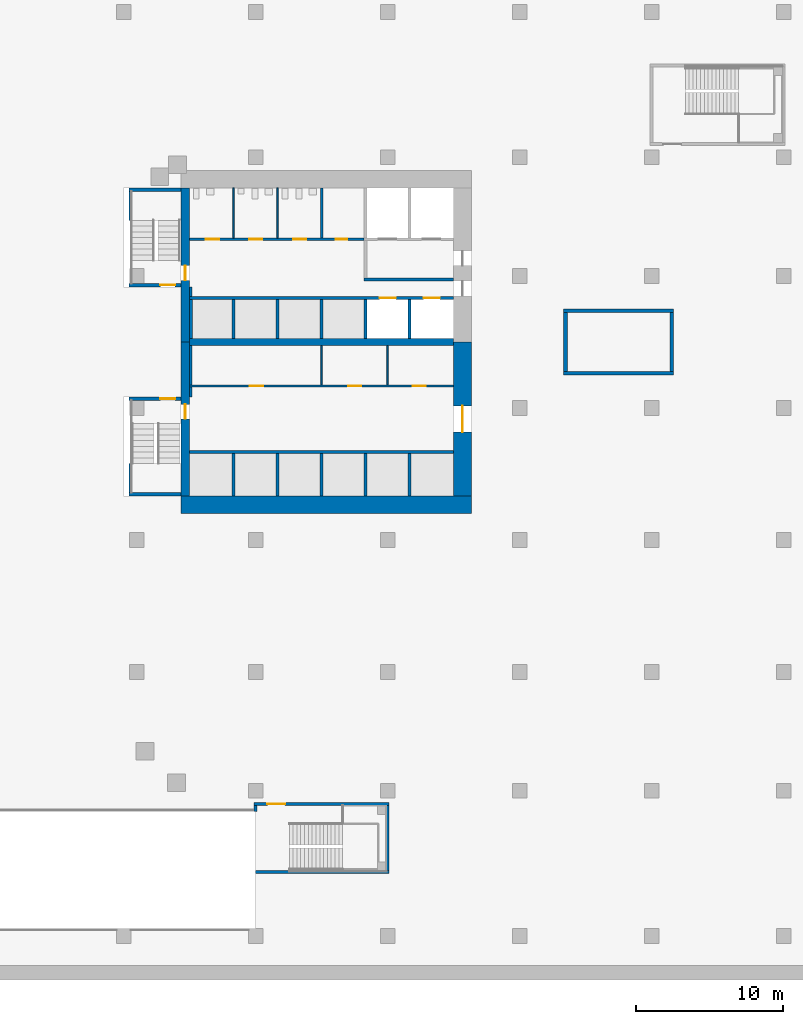
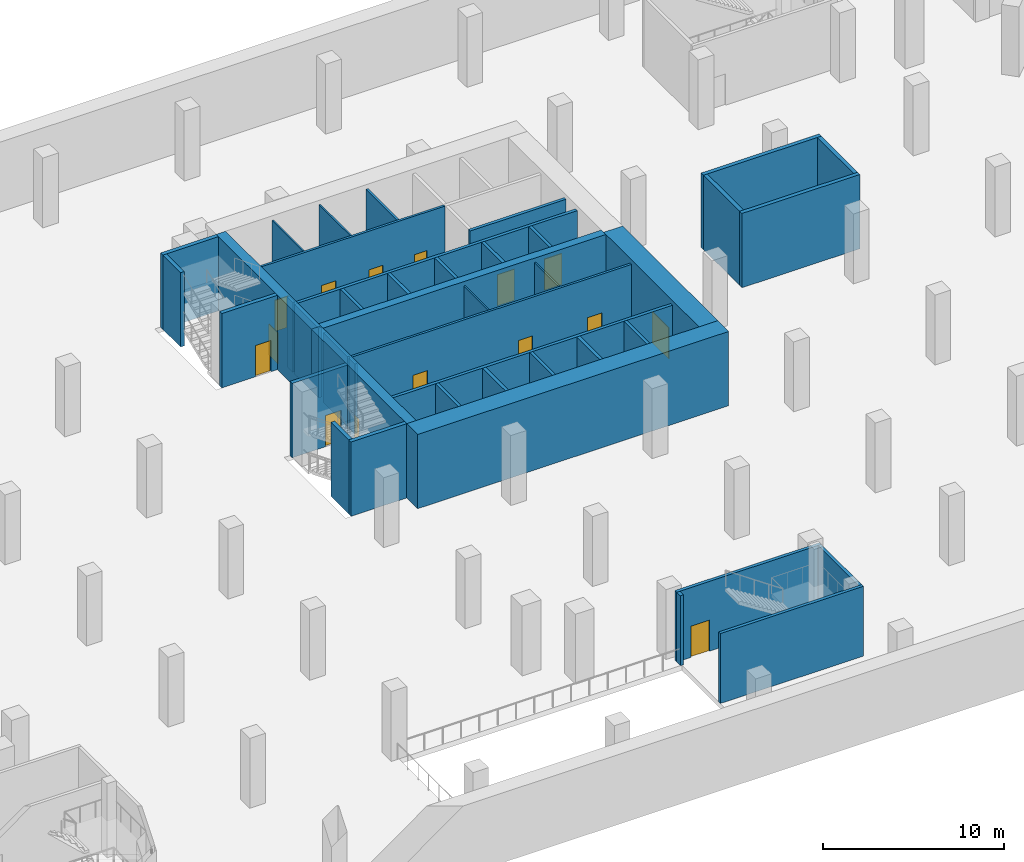
# One storey, part 7 of 19: 43 walls, 15 doors, 15 openings.
"""IFC4 building model written with IfcOpenShell, lengths in metres."""

from ifc_helpers import new_model, si_unit, direction, frame, frame_2d, origin, place, context, subcontext, project, spatial, rectangle, extrude, material, layer, layer_set, type_object, element, fill, save


model = new_model("IFC4")

# Units and contexts
model_context = context("Model", 3, precision=1e-05, world=origin(), true_north=direction((0.0, 1.0)))
body_context = subcontext(model_context, "Body", "Model", "MODEL_VIEW")
ifc_project = project(units=[si_unit("LENGTHUNIT", "METRE"), si_unit("AREAUNIT", "SQUARE_METRE"), si_unit("VOLUMEUNIT", "CUBIC_METRE"), si_unit("PLANEANGLEUNIT", "RADIAN"), si_unit("MASSUNIT", "GRAM", prefix="KILO")], contexts=[model_context])

# Site, building, storey
site_placement = place(None, origin())
site = spatial("IfcSite", under=ifc_project, at=site_placement, CompositionType="ELEMENT")
building_placement = place(site_placement, origin())
building = spatial("IfcBuilding", under=site, at=building_placement, Name="Cinnabar Reach Civic Tower", CompositionType="ELEMENT")
storey_placement = place(building_placement, frame((0.0, 0.0, -5.0)))
storey = spatial("IfcBuildingStorey", under=building, at=storey_placement, Name="B1", CompositionType="ELEMENT", Elevation=-5.0)

# Wall
ifc_material_1 = material(Name="Concrete C70", Category="concrete")
ifc_layer_1 = layer(ifc_material_1, 1.2)
ifc_layer_set_1 = layer_set([ifc_layer_1], Name="Core wall 1200 EI 180")
wall_type_1 = type_object("IfcWallType", Name="Core wall 1200 EI 180", PredefinedType="SOLIDWALL", material=ifc_layer_set_1)
wall_1_placement = place(storey_placement, frame((3.9, 20.4, 0.0), z_axis=(0.0, 0.0, 1.0), x_axis=(1.0, 0.0, 0.0)))
element("IfcWall", 1, at=wall_1_placement, inside=storey, type_object=wall_type_1, Name="Core wall T1 B1 S", PredefinedType="SOLIDWALL", context=body_context, shape_type="SweptSolid", body=[
    extrude(rectangle(XDim=19.8, YDim=1.2, at=frame_2d((9.9, 0.0))), origin(), (0.0, 0.0, 1.0), 5.0),
])

# Wall, opening, door
wall_2_placement = place(storey_placement, frame((23.1, 21.0, 0.0), z_axis=(0.0, 0.0, 1.0), x_axis=(0.0, 1.0, 0.0)))
wall_2 = element("IfcWall", 2, at=wall_2_placement, inside=storey, type_object=wall_type_1, Name="Core wall T1 B1 E", PredefinedType="SOLIDWALL", context=body_context, shape_type="SweptSolid", body=[
    extrude(rectangle(XDim=10.5, YDim=1.2, at=frame_2d((5.25, 0.0))), origin(), (0.0, 0.0, 1.0), 5.0),
])
opening_1_placement = place(wall_2_placement, frame((4.35, 0.0, 0.0)))
opening_1 = element("IfcOpeningElement", 3, at=opening_1_placement, cuts=wall_2, Name="Opening D3048", PredefinedType="OPENING", context=body_context, shape_type="SweptSolid", body=[
    extrude(rectangle(XDim=1.8, YDim=2.1, at=frame_2d((0.9, 1.05))), frame((0.0, 0.61, 0.0), z_axis=(0.0, -1.0, 0.0), x_axis=(1.0, 0.0, 0.0)), (0.0, 0.0, 1.0), 1.22),
])
ifc_material_2 = material(Name="Timber door leaf in steel frame", Category="steel")
door_type_1 = type_object("IfcDoorType", Name="Double swing door 1800 x 2100 T1", OperationType="DOUBLE_DOOR_DOUBLE_SWING", PredefinedType="DOOR", material=ifc_material_2)
door_1_placement = place(opening_1_placement, frame((1.8, 0.0, 0.0), z_axis=(0.0, 0.0, 1.0), x_axis=(-1.0, 0.0, 0.0)))
door_1 = element("IfcDoor", 4, at=door_1_placement, inside=storey, type_object=door_type_1, Name="Door D3048", OperationType="DOUBLE_DOOR_DOUBLE_SWING", OverallHeight=2.1, OverallWidth=1.8, PredefinedType="DOOR", context=body_context, shape_type="SweptSolid", body=[
    extrude(rectangle(XDim=1.8, YDim=2.1, at=frame_2d((0.9, 1.05))), frame((0.0, 0.025, 0.0), z_axis=(0.0, -1.0, 0.0), x_axis=(1.0, 0.0, 0.0)), (0.0, 0.0, 1.0), 0.05),
])
fill(opening_1, door_1)

# Wall
ifc_material_3 = material(Name="Concrete C60", Category="concrete")
ifc_layer_2 = layer(ifc_material_3, 0.5)
ifc_layer_set_2 = layer_set([ifc_layer_2], Name="Core wall 500 EI 180")
wall_type_2 = type_object("IfcWallType", Name="Core wall 500 EI 180", PredefinedType="SOLIDWALL", material=ifc_layer_set_2)
wall_3_placement = place(storey_placement, frame((4.5, 31.5, 0.0), z_axis=(0.0, 0.0, 1.0), x_axis=(1.0, 0.0, 0.0)))
element("IfcWall", 5, at=wall_3_placement, inside=storey, type_object=wall_type_2, Name="Core spine wall T1 B1", PredefinedType="SOLIDWALL", context=body_context, shape_type="SweptSolid", body=[
    extrude(rectangle(XDim=18.0, YDim=0.5, at=frame_2d((9.0, 0.0))), origin(), (0.0, 0.0, 1.0), 5.0),
])

# Wall, opening, door
ifc_layer_3 = layer(ifc_material_1, 0.6)
ifc_layer_set_3 = layer_set([ifc_layer_3], Name="Core wall 600 EI 180")
wall_type_3 = type_object("IfcWallType", Name="Core wall 600 EI 180", PredefinedType="SOLIDWALL", material=ifc_layer_set_3)
wall_4_placement = place(storey_placement, frame((4.2, 42.0, 0.0), z_axis=(0.0, 0.0, 1.0), x_axis=(0.0, -1.0, 0.0)))
wall_4 = element("IfcWall", 6, at=wall_4_placement, inside=storey, type_object=wall_type_3, Name="Core wall T1 B1 W", PredefinedType="SOLIDWALL", context=body_context, shape_type="SweptSolid", body=[
    extrude(rectangle(XDim=10.5, YDim=0.6, at=frame_2d((5.25, 0.0))), origin(), (0.0, 0.0, 1.0), 5.0),
])
opening_2_placement = place(wall_4_placement, frame((5.3, 0.0, 0.0)))
opening_2 = element("IfcOpeningElement", 7, at=opening_2_placement, cuts=wall_4, Name="Opening D3042", PredefinedType="OPENING", context=body_context, shape_type="SweptSolid", body=[
    extrude(rectangle(XDim=1.0, YDim=2.1, at=frame_2d((0.5, 1.05))), frame((0.0, 0.31, 0.0), z_axis=(0.0, -1.0, 0.0), x_axis=(1.0, 0.0, 0.0)), (0.0, 0.0, 1.0), 0.62),
])
door_type_2 = type_object("IfcDoorType", Name="Stair door 1000 x 2100 T1", OperationType="SINGLE_SWING_LEFT", PredefinedType="DOOR", material=ifc_material_2)
door_2_placement = place(opening_2_placement, frame((1.0, 0.0, 0.0), z_axis=(0.0, 0.0, 1.0), x_axis=(-1.0, 0.0, 0.0)))
door_2 = element("IfcDoor", 8, at=door_2_placement, inside=storey, type_object=door_type_2, Name="Door D3042", OperationType="SINGLE_SWING_LEFT", OverallHeight=2.1, OverallWidth=1.0, PredefinedType="DOOR", context=body_context, shape_type="SweptSolid", body=[
    extrude(rectangle(XDim=1.0, YDim=2.1, at=frame_2d((0.5, 1.05))), frame((0.0, 0.025, 0.0), z_axis=(0.0, -1.0, 0.0), x_axis=(1.0, 0.0, 0.0)), (0.0, 0.0, 1.0), 0.05),
])
fill(opening_2, door_2)

wall_5_placement = place(storey_placement, frame((4.2, 31.5, 0.0), z_axis=(0.0, 0.0, 1.0), x_axis=(0.0, -1.0, 0.0)))
wall_5 = element("IfcWall", 9, at=wall_5_placement, inside=storey, type_object=wall_type_3, Name="Core wall T1 B1 W2", PredefinedType="SOLIDWALL", context=body_context, shape_type="SweptSolid", body=[
    extrude(rectangle(XDim=10.5, YDim=0.6, at=frame_2d((5.25, 0.0))), origin(), (0.0, 0.0, 1.0), 5.0),
])
opening_3_placement = place(wall_5_placement, frame((4.25, 0.0, 0.0)))
opening_3 = element("IfcOpeningElement", 10, at=opening_3_placement, cuts=wall_5, Name="Opening D3040", PredefinedType="OPENING", context=body_context, shape_type="SweptSolid", body=[
    extrude(rectangle(XDim=1.0, YDim=2.1, at=frame_2d((0.5, 1.05))), frame((0.0, 0.31, 0.0), z_axis=(0.0, -1.0, 0.0), x_axis=(1.0, 0.0, 0.0)), (0.0, 0.0, 1.0), 0.62),
])
door_3_placement = place(opening_3_placement, frame((1.0, 0.0, 0.0), z_axis=(0.0, 0.0, 1.0), x_axis=(-1.0, 0.0, 0.0)))
door_3 = element("IfcDoor", 11, at=door_3_placement, inside=storey, type_object=door_type_2, Name="Door D3040", OperationType="SINGLE_SWING_RIGHT", OverallHeight=2.1, OverallWidth=1.0, PredefinedType="DOOR", context=body_context, shape_type="SweptSolid", body=[
    extrude(rectangle(XDim=1.0, YDim=2.1, at=frame_2d((0.5, 1.05))), frame((0.0, 0.025, 0.0), z_axis=(0.0, -1.0, 0.0), x_axis=(1.0, 0.0, 0.0)), (0.0, 0.0, 1.0), 0.05),
])
fill(opening_3, door_3)

# Wall, openings, doors
ifc_material_4 = material(Name="Gypsum board on steel studs, double layer", Category="steel")
ifc_layer_4 = layer(ifc_material_4, 0.15)
ifc_layer_set_4 = layer_set([ifc_layer_4], Name="Corridor wall 150 T1")
wall_type_4 = type_object("IfcWallType", Name="Corridor wall 150 T1", PredefinedType="PARTITIONING", material=ifc_layer_set_4)
wall_6_placement = place(storey_placement, frame((4.5, 28.5, 0.0), z_axis=(0.0, 0.0, 1.0), x_axis=(1.0, 0.0, 0.0)))
wall_6 = element("IfcWall", 12, at=wall_6_placement, inside=storey, type_object=wall_type_4, Name="Corridor wall 19", PredefinedType="PARTITIONING", context=body_context, shape_type="SweptSolid", body=[
    extrude(rectangle(XDim=18.0, YDim=0.15, at=frame_2d((9.0, 0.0))), origin(), (0.0, 0.0, 1.0), 4.7),
])
opening_4_placement = place(wall_6_placement, frame((4.1, 0.0, 0.0)))
opening_4 = element("IfcOpeningElement", 13, at=opening_4_placement, cuts=wall_6, Name="Opening D3051", PredefinedType="OPENING", context=body_context, shape_type="SweptSolid", body=[
    extrude(rectangle(XDim=0.9, YDim=2.1, at=frame_2d((0.45, 1.05))), frame((0.0, 0.085, 0.0), z_axis=(0.0, -1.0, 0.0), x_axis=(1.0, 0.0, 0.0)), (0.0, 0.0, 1.0), 0.17),
])
opening_5_placement = place(wall_6_placement, frame((10.8, 0.0, 0.0)))
opening_5 = element("IfcOpeningElement", 14, at=opening_5_placement, cuts=wall_6, Name="Opening D3052", PredefinedType="OPENING", context=body_context, shape_type="SweptSolid", body=[
    extrude(rectangle(XDim=0.9, YDim=2.1, at=frame_2d((0.45, 1.05))), frame((0.0, 0.085, 0.0), z_axis=(0.0, -1.0, 0.0), x_axis=(1.0, 0.0, 0.0)), (0.0, 0.0, 1.0), 0.17),
])
opening_6_placement = place(wall_6_placement, frame((15.2, 0.0, 0.0)))
opening_6 = element("IfcOpeningElement", 15, at=opening_6_placement, cuts=wall_6, Name="Opening D3053", PredefinedType="OPENING", context=body_context, shape_type="SweptSolid", body=[
    extrude(rectangle(XDim=0.9, YDim=2.1, at=frame_2d((0.45, 1.05))), frame((0.0, 0.085, 0.0), z_axis=(0.0, -1.0, 0.0), x_axis=(1.0, 0.0, 0.0)), (0.0, 0.0, 1.0), 0.17),
])
door_type_3 = type_object("IfcDoorType", Name="Single swing door 900 x 2100 corridor T1", OperationType="SINGLE_SWING_LEFT", PredefinedType="DOOR", material=ifc_material_2)
door_4_placement = place(opening_4_placement, origin())
door_4 = element("IfcDoor", 16, at=door_4_placement, inside=storey, type_object=door_type_3, Name="Door D3051", OperationType="SINGLE_SWING_RIGHT", OverallHeight=2.1, OverallWidth=0.9, PredefinedType="DOOR", context=body_context, shape_type="SweptSolid", body=[
    extrude(rectangle(XDim=0.9, YDim=2.1, at=frame_2d((0.45, 1.05))), frame((0.0, 0.025, 0.0), z_axis=(0.0, -1.0, 0.0), x_axis=(1.0, 0.0, 0.0)), (0.0, 0.0, 1.0), 0.05),
])
fill(opening_4, door_4)
door_5_placement = place(opening_5_placement, origin())
door_5 = element("IfcDoor", 17, at=door_5_placement, inside=storey, type_object=door_type_3, Name="Door D3052", OperationType="SINGLE_SWING_LEFT", OverallHeight=2.1, OverallWidth=0.9, PredefinedType="DOOR", context=body_context, shape_type="SweptSolid", body=[
    extrude(rectangle(XDim=0.9, YDim=2.1, at=frame_2d((0.45, 1.05))), frame((0.0, 0.025, 0.0), z_axis=(0.0, -1.0, 0.0), x_axis=(1.0, 0.0, 0.0)), (0.0, 0.0, 1.0), 0.05),
])
fill(opening_5, door_5)
door_6_placement = place(opening_6_placement, origin())
door_6 = element("IfcDoor", 18, at=door_6_placement, inside=storey, type_object=door_type_3, Name="Door D3053", OperationType="SINGLE_SWING_RIGHT", OverallHeight=2.1, OverallWidth=0.9, PredefinedType="DOOR", context=body_context, shape_type="SweptSolid", body=[
    extrude(rectangle(XDim=0.9, YDim=2.1, at=frame_2d((0.45, 1.05))), frame((0.0, 0.025, 0.0), z_axis=(0.0, -1.0, 0.0), x_axis=(1.0, 0.0, 0.0)), (0.0, 0.0, 1.0), 0.05),
])
fill(opening_6, door_6)

wall_7_placement = place(storey_placement, frame((4.5, 38.5, 0.0), z_axis=(0.0, 0.0, 1.0), x_axis=(1.0, 0.0, 0.0)))
wall_7 = element("IfcWall", 19, at=wall_7_placement, inside=storey, type_object=wall_type_4, Name="Corridor wall 20", PredefinedType="PARTITIONING", context=body_context, shape_type="SweptSolid", body=[
    extrude(rectangle(XDim=11.9, YDim=0.15, at=frame_2d((5.95, 0.0))), origin(), (0.0, 0.0, 1.0), 4.7),
])
opening_7_placement = place(wall_7_placement, frame((1.1, 0.0, 0.0)))
opening_7 = element("IfcOpeningElement", 20, at=opening_7_placement, cuts=wall_7, Name="Opening D3054", PredefinedType="OPENING", context=body_context, shape_type="SweptSolid", body=[
    extrude(rectangle(XDim=0.9, YDim=2.1, at=frame_2d((0.45, 1.05))), frame((0.0, 0.085, 0.0), z_axis=(0.0, -1.0, 0.0), x_axis=(1.0, 0.0, 0.0)), (0.0, 0.0, 1.0), 0.17),
])
opening_8_placement = place(wall_7_placement, frame((4.05, 0.0, 0.0)))
opening_8 = element("IfcOpeningElement", 21, at=opening_8_placement, cuts=wall_7, Name="Opening D3055", PredefinedType="OPENING", context=body_context, shape_type="SweptSolid", body=[
    extrude(rectangle(XDim=0.9, YDim=2.1, at=frame_2d((0.45, 1.05))), frame((0.0, 0.085, 0.0), z_axis=(0.0, -1.0, 0.0), x_axis=(1.0, 0.0, 0.0)), (0.0, 0.0, 1.0), 0.17),
])
opening_9_placement = place(wall_7_placement, frame((7.05, 0.0, 0.0)))
opening_9 = element("IfcOpeningElement", 22, at=opening_9_placement, cuts=wall_7, Name="Opening D3056", PredefinedType="OPENING", context=body_context, shape_type="SweptSolid", body=[
    extrude(rectangle(XDim=0.9, YDim=2.1, at=frame_2d((0.45, 1.05))), frame((0.0, 0.085, 0.0), z_axis=(0.0, -1.0, 0.0), x_axis=(1.0, 0.0, 0.0)), (0.0, 0.0, 1.0), 0.17),
])
opening_10_placement = place(wall_7_placement, frame((9.95, 0.0, 0.0)))
opening_10 = element("IfcOpeningElement", 23, at=opening_10_placement, cuts=wall_7, Name="Opening D3057", PredefinedType="OPENING", context=body_context, shape_type="SweptSolid", body=[
    extrude(rectangle(XDim=0.8, YDim=2.1, at=frame_2d((0.4, 1.05))), frame((0.0, 0.085, 0.0), z_axis=(0.0, -1.0, 0.0), x_axis=(1.0, 0.0, 0.0)), (0.0, 0.0, 1.0), 0.17),
])
door_type_4 = type_object("IfcDoorType", Name="Riser access door 800 x 2100 T1", OperationType="SINGLE_SWING_LEFT", PredefinedType="DOOR", material=ifc_material_2)
door_7_placement = place(opening_10_placement, origin())
door_7 = element("IfcDoor", 24, at=door_7_placement, inside=storey, type_object=door_type_4, Name="Door D3057", OperationType="SINGLE_SWING_RIGHT", OverallHeight=2.1, OverallWidth=0.8, PredefinedType="DOOR", context=body_context, shape_type="SweptSolid", body=[
    extrude(rectangle(XDim=0.8, YDim=2.1, at=frame_2d((0.4, 1.05))), frame((0.0, 0.025, 0.0), z_axis=(0.0, -1.0, 0.0), x_axis=(1.0, 0.0, 0.0)), (0.0, 0.0, 1.0), 0.05),
])
fill(opening_10, door_7)
door_8_placement = place(opening_7_placement, origin())
door_8 = element("IfcDoor", 25, at=door_8_placement, inside=storey, type_object=door_type_3, Name="Door D3054", OperationType="SINGLE_SWING_LEFT", OverallHeight=2.1, OverallWidth=0.9, PredefinedType="DOOR", context=body_context, shape_type="SweptSolid", body=[
    extrude(rectangle(XDim=0.9, YDim=2.1, at=frame_2d((0.45, 1.05))), frame((0.0, 0.025, 0.0), z_axis=(0.0, -1.0, 0.0), x_axis=(1.0, 0.0, 0.0)), (0.0, 0.0, 1.0), 0.05),
])
fill(opening_7, door_8)
door_9_placement = place(opening_8_placement, origin())
door_9 = element("IfcDoor", 26, at=door_9_placement, inside=storey, type_object=door_type_3, Name="Door D3055", OperationType="SINGLE_SWING_RIGHT", OverallHeight=2.1, OverallWidth=0.9, PredefinedType="DOOR", context=body_context, shape_type="SweptSolid", body=[
    extrude(rectangle(XDim=0.9, YDim=2.1, at=frame_2d((0.45, 1.05))), frame((0.0, 0.025, 0.0), z_axis=(0.0, -1.0, 0.0), x_axis=(1.0, 0.0, 0.0)), (0.0, 0.0, 1.0), 0.05),
])
fill(opening_8, door_9)
door_10_placement = place(opening_9_placement, origin())
door_10 = element("IfcDoor", 27, at=door_10_placement, inside=storey, type_object=door_type_3, Name="Door D3056", OperationType="SINGLE_SWING_RIGHT", OverallHeight=2.1, OverallWidth=0.9, PredefinedType="DOOR", context=body_context, shape_type="SweptSolid", body=[
    extrude(rectangle(XDim=0.9, YDim=2.1, at=frame_2d((0.45, 1.05))), frame((0.0, 0.025, 0.0), z_axis=(0.0, -1.0, 0.0), x_axis=(1.0, 0.0, 0.0)), (0.0, 0.0, 1.0), 0.05),
])
fill(opening_9, door_10)

# Walls
wall_8_placement = place(storey_placement, frame((4.575, 27.75, 0.0), z_axis=(0.0, 0.0, 1.0), x_axis=(0.0, 1.0, 0.0)))
element("IfcWall", 28, at=wall_8_placement, inside=storey, type_object=wall_type_4, Name="Corridor wall 21", PredefinedType="PARTITIONING", context=body_context, shape_type="SweptSolid", body=[
    extrude(rectangle(XDim=0.675, YDim=0.15, at=frame_2d((0.3375, 0.0))), origin(), (0.0, 0.0, 1.0), 4.7),
])
wall_9_placement = place(storey_placement, frame((4.575, 28.575, 0.0), z_axis=(0.0, 0.0, 1.0), x_axis=(0.0, 1.0, 0.0)))
element("IfcWall", 29, at=wall_9_placement, inside=storey, type_object=wall_type_4, Name="Corridor wall 22", PredefinedType="PARTITIONING", context=body_context, shape_type="SweptSolid", body=[
    extrude(rectangle(XDim=2.675, YDim=0.15, at=frame_2d((1.3375, 0.0))), origin(), (0.0, 0.0, 1.0), 4.7),
])
wall_10_placement = place(storey_placement, frame((4.575, 34.6, 0.0), z_axis=(0.0, 0.0, 1.0), x_axis=(0.0, 1.0, 0.0)))
element("IfcWall", 30, at=wall_10_placement, inside=storey, type_object=wall_type_4, Name="Corridor wall 23", PredefinedType="PARTITIONING", context=body_context, shape_type="SweptSolid", body=[
    extrude(rectangle(XDim=0.65, YDim=0.15, at=frame_2d((0.325, 0.0))), origin(), (0.0, 0.0, 1.0), 4.7),
])
ifc_material_5 = material(Name="Blockwork", Category="masonry")
ifc_layer_5 = layer(ifc_material_5, 0.2)
ifc_layer_set_5 = layer_set([ifc_layer_5], Name="Lift shaft wall 200 T1")
wall_type_5 = type_object("IfcWallType", Name="Lift shaft wall 200 T1", PredefinedType="PARTITIONING", material=ifc_layer_set_5)
wall_11_placement = place(storey_placement, frame((4.5, 24.0, 0.0), z_axis=(0.0, 0.0, 1.0), x_axis=(1.0, 0.0, 0.0)))
element("IfcWall", 31, at=wall_11_placement, inside=storey, type_object=wall_type_5, Name="Lift shaft wall 4", PredefinedType="PARTITIONING", context=body_context, shape_type="SweptSolid", body=[
    extrude(rectangle(XDim=18.0, YDim=0.2, at=frame_2d((9.0, 0.0))), origin(), (0.0, 0.0, 1.0), 4.7),
])

# Wall, openings, doors
wall_12_placement = place(storey_placement, frame((4.5, 34.5, 0.0), z_axis=(0.0, 0.0, 1.0), x_axis=(1.0, 0.0, 0.0)))
wall_12 = element("IfcWall", 32, at=wall_12_placement, inside=storey, type_object=wall_type_5, Name="Lift shaft wall 5", PredefinedType="PARTITIONING", context=body_context, shape_type="SweptSolid", body=[
    extrude(rectangle(XDim=18.0, YDim=0.2, at=frame_2d((9.0, 0.0))), origin(), (0.0, 0.0, 1.0), 4.7),
])
opening_11_placement = place(wall_12_placement, frame((12.95, 0.0, 0.0)))
opening_11 = element("IfcOpeningElement", 33, at=opening_11_placement, cuts=wall_12, Name="Opening D3044", PredefinedType="OPENING", context=body_context, shape_type="SweptSolid", body=[
    extrude(rectangle(XDim=1.1, YDim=2.1, at=frame_2d((0.55, 1.05))), frame((0.0, 0.11, 0.0), z_axis=(0.0, -1.0, 0.0), x_axis=(1.0, 0.0, 0.0)), (0.0, 0.0, 1.0), 0.22),
])
opening_12_placement = place(wall_12_placement, frame((15.95, 0.0, 0.0)))
opening_12 = element("IfcOpeningElement", 34, at=opening_12_placement, cuts=wall_12, Name="Opening D3045", PredefinedType="OPENING", context=body_context, shape_type="SweptSolid", body=[
    extrude(rectangle(XDim=1.1, YDim=2.1, at=frame_2d((0.55, 1.05))), frame((0.0, 0.11, 0.0), z_axis=(0.0, -1.0, 0.0), x_axis=(1.0, 0.0, 0.0)), (0.0, 0.0, 1.0), 0.22),
])
ifc_material_6 = material(Name="Stainless steel sliding door", Category="steel")
door_type_5 = type_object("IfcDoorType", Name="Lift landing door 1100 x 2100 T1", OperationType="SLIDING_TO_LEFT", PredefinedType="DOOR", material=ifc_material_6)
door_11_placement = place(opening_11_placement, origin())
door_11 = element("IfcDoor", 35, at=door_11_placement, inside=storey, type_object=door_type_5, Name="Lift landing door SV1 B1", OperationType="SLIDING_TO_LEFT", OverallHeight=2.1, OverallWidth=1.1, PredefinedType="DOOR", context=body_context, shape_type="SweptSolid", body=[
    extrude(rectangle(XDim=1.1, YDim=2.1, at=frame_2d((0.55, 1.05))), frame((0.0, 0.025, 0.0), z_axis=(0.0, -1.0, 0.0), x_axis=(1.0, 0.0, 0.0)), (0.0, 0.0, 1.0), 0.05),
])
fill(opening_11, door_11)
door_12_placement = place(opening_12_placement, origin())
door_12 = element("IfcDoor", 36, at=door_12_placement, inside=storey, type_object=door_type_5, Name="Lift landing door SV2 B1", OperationType="SLIDING_TO_LEFT", OverallHeight=2.1, OverallWidth=1.1, PredefinedType="DOOR", context=body_context, shape_type="SweptSolid", body=[
    extrude(rectangle(XDim=1.1, YDim=2.1, at=frame_2d((0.55, 1.05))), frame((0.0, 0.025, 0.0), z_axis=(0.0, -1.0, 0.0), x_axis=(1.0, 0.0, 0.0)), (0.0, 0.0, 1.0), 0.05),
])
fill(opening_12, door_12)

# Walls
wall_13_placement = place(storey_placement, frame((4.6, 31.75, 0.0), z_axis=(0.0, 0.0, 1.0), x_axis=(0.0, 1.0, 0.0)))
element("IfcWall", 37, at=wall_13_placement, inside=storey, type_object=wall_type_5, Name="Lift shaft wall 8", PredefinedType="PARTITIONING", context=body_context, shape_type="SweptSolid", body=[
    extrude(rectangle(XDim=2.65, YDim=0.2, at=frame_2d((1.325, 0.0))), origin(), (0.0, 0.0, 1.0), 4.7),
])
wall_14_placement = place(storey_placement, frame((7.5, 21.0, 0.0), z_axis=(0.0, 0.0, 1.0), x_axis=(0.0, 1.0, 0.0)))
element("IfcWall", 38, at=wall_14_placement, inside=storey, type_object=wall_type_5, Name="Lift shaft wall 9", PredefinedType="PARTITIONING", context=body_context, shape_type="SweptSolid", body=[
    extrude(rectangle(XDim=2.9, YDim=0.2, at=frame_2d((1.45, 0.0))), origin(), (0.0, 0.0, 1.0), 4.7),
])
wall_15_placement = place(storey_placement, frame((7.5, 31.75, 0.0), z_axis=(0.0, 0.0, 1.0), x_axis=(0.0, 1.0, 0.0)))
element("IfcWall", 39, at=wall_15_placement, inside=storey, type_object=wall_type_5, Name="Lift shaft wall 10", PredefinedType="PARTITIONING", context=body_context, shape_type="SweptSolid", body=[
    extrude(rectangle(XDim=2.65, YDim=0.2, at=frame_2d((1.325, 0.0))), origin(), (0.0, 0.0, 1.0), 4.7),
])
wall_16_placement = place(storey_placement, frame((10.5, 21.0, 0.0), z_axis=(0.0, 0.0, 1.0), x_axis=(0.0, 1.0, 0.0)))
element("IfcWall", 40, at=wall_16_placement, inside=storey, type_object=wall_type_5, Name="Lift shaft wall 11", PredefinedType="PARTITIONING", context=body_context, shape_type="SweptSolid", body=[
    extrude(rectangle(XDim=2.9, YDim=0.2, at=frame_2d((1.45, 0.0))), origin(), (0.0, 0.0, 1.0), 4.7),
])
wall_17_placement = place(storey_placement, frame((10.5, 31.75, 0.0), z_axis=(0.0, 0.0, 1.0), x_axis=(0.0, 1.0, 0.0)))
element("IfcWall", 41, at=wall_17_placement, inside=storey, type_object=wall_type_5, Name="Lift shaft wall 12", PredefinedType="PARTITIONING", context=body_context, shape_type="SweptSolid", body=[
    extrude(rectangle(XDim=2.65, YDim=0.2, at=frame_2d((1.325, 0.0))), origin(), (0.0, 0.0, 1.0), 4.7),
])
wall_18_placement = place(storey_placement, frame((13.5, 21.0, 0.0), z_axis=(0.0, 0.0, 1.0), x_axis=(0.0, 1.0, 0.0)))
element("IfcWall", 42, at=wall_18_placement, inside=storey, type_object=wall_type_5, Name="Lift shaft wall 13", PredefinedType="PARTITIONING", context=body_context, shape_type="SweptSolid", body=[
    extrude(rectangle(XDim=2.9, YDim=0.2, at=frame_2d((1.45, 0.0))), origin(), (0.0, 0.0, 1.0), 4.7),
])
wall_19_placement = place(storey_placement, frame((13.5, 31.75, 0.0), z_axis=(0.0, 0.0, 1.0), x_axis=(0.0, 1.0, 0.0)))
element("IfcWall", 43, at=wall_19_placement, inside=storey, type_object=wall_type_5, Name="Lift shaft wall 14", PredefinedType="PARTITIONING", context=body_context, shape_type="SweptSolid", body=[
    extrude(rectangle(XDim=2.65, YDim=0.2, at=frame_2d((1.325, 0.0))), origin(), (0.0, 0.0, 1.0), 4.7),
])
wall_20_placement = place(storey_placement, frame((16.5, 21.0, 0.0), z_axis=(0.0, 0.0, 1.0), x_axis=(0.0, 1.0, 0.0)))
element("IfcWall", 44, at=wall_20_placement, inside=storey, type_object=wall_type_5, Name="Lift shaft wall 15", PredefinedType="PARTITIONING", context=body_context, shape_type="SweptSolid", body=[
    extrude(rectangle(XDim=2.9, YDim=0.2, at=frame_2d((1.45, 0.0))), origin(), (0.0, 0.0, 1.0), 4.7),
])
wall_21_placement = place(storey_placement, frame((16.5, 31.75, 0.0), z_axis=(0.0, 0.0, 1.0), x_axis=(0.0, 1.0, 0.0)))
element("IfcWall", 45, at=wall_21_placement, inside=storey, type_object=wall_type_5, Name="Lift shaft wall 16", PredefinedType="PARTITIONING", context=body_context, shape_type="SweptSolid", body=[
    extrude(rectangle(XDim=2.65, YDim=0.2, at=frame_2d((1.325, 0.0))), origin(), (0.0, 0.0, 1.0), 4.7),
])
wall_22_placement = place(storey_placement, frame((19.5, 21.0, 0.0), z_axis=(0.0, 0.0, 1.0), x_axis=(0.0, 1.0, 0.0)))
element("IfcWall", 46, at=wall_22_placement, inside=storey, type_object=wall_type_5, Name="Lift shaft wall 17", PredefinedType="PARTITIONING", context=body_context, shape_type="SweptSolid", body=[
    extrude(rectangle(XDim=2.9, YDim=0.2, at=frame_2d((1.45, 0.0))), origin(), (0.0, 0.0, 1.0), 4.7),
])
wall_23_placement = place(storey_placement, frame((19.5, 31.75, 0.0), z_axis=(0.0, 0.0, 1.0), x_axis=(0.0, 1.0, 0.0)))
element("IfcWall", 47, at=wall_23_placement, inside=storey, type_object=wall_type_5, Name="Lift shaft wall 18", PredefinedType="PARTITIONING", context=body_context, shape_type="SweptSolid", body=[
    extrude(rectangle(XDim=2.65, YDim=0.2, at=frame_2d((1.325, 0.0))), origin(), (0.0, 0.0, 1.0), 4.7),
])
ifc_material_7 = material(Name="Gypsum board on steel studs", Category="steel")
ifc_layer_6 = layer(ifc_material_7, 0.1)
ifc_layer_set_6 = layer_set([ifc_layer_6], Name="Partition wall 100 T1")
wall_type_6 = type_object("IfcWallType", Name="Partition wall 100 T1", PredefinedType="PARTITIONING", material=ifc_layer_set_6)
for number, where, z_axis, x_axis, name in (
    (48, (7.5, 38.575, 0.0), (0.0, 0.0, 1.0), (0.0, 1.0, 0.0), "Partition wall 25"),
    (49, (10.5, 38.575, 0.0), (0.0, 0.0, 1.0), (0.0, 1.0, 0.0), "Partition wall 26"),
):
    element("IfcWall", number, at=place(storey_placement, frame(where, z_axis=z_axis, x_axis=x_axis)), inside=storey, type_object=wall_type_6, Name=name, PredefinedType="PARTITIONING", context=body_context, shape_type="SweptSolid", body=[
        extrude(rectangle(XDim=3.425, YDim=0.1, at=frame_2d((1.7125, 0.0))), origin(), (0.0, 0.0, 1.0), 4.7),
    ])
for number, where, z_axis, x_axis, name in (
    (50, (13.5, 28.575, 0.0), (0.0, 0.0, 1.0), (0.0, 1.0, 0.0), "Partition wall 27"),
    (51, (18.0, 28.575, 0.0), (0.0, 0.0, 1.0), (0.0, 1.0, 0.0), "Partition wall 28"),
):
    element("IfcWall", number, at=place(storey_placement, frame(where, z_axis=z_axis, x_axis=x_axis)), inside=storey, type_object=wall_type_6, Name=name, PredefinedType="PARTITIONING", context=body_context, shape_type="SweptSolid", body=[
        extrude(rectangle(XDim=2.675, YDim=0.1, at=frame_2d((1.3375, 0.0))), origin(), (0.0, 0.0, 1.0), 4.7),
    ])
ifc_material_8 = material(Name="Concrete C40", Category="concrete")
ifc_layer_7 = layer(ifc_material_8, 0.2)
ifc_layer_set_7 = layer_set([ifc_layer_7], Name="Podium stair shaft wall 200 EI 120")
wall_type_7 = type_object("IfcWallType", Name="Podium stair shaft wall 200 EI 120", PredefinedType="SOLIDWALL", material=ifc_layer_set_7)
wall_24_placement = place(storey_placement, frame((18.0, -4.55, 0.0), z_axis=(0.0, 0.0, 1.0), x_axis=(0.0, 1.0, 0.0)))
element("IfcWall", 52, at=wall_24_placement, inside=storey, type_object=wall_type_7, Name="Wall B1 7", PredefinedType="SOLIDWALL", context=body_context, shape_type="SweptSolid", body=[
    extrude(rectangle(XDim=4.45, YDim=0.2, at=frame_2d((2.225, 0.0))), origin(), (0.0, 0.0, 1.0), 4.7),
])
wall_25_placement = place(storey_placement, frame((9.0, -4.65, 0.0), z_axis=(0.0, 0.0, 1.0), x_axis=(1.0, 0.0, 0.0)))
element("IfcWall", 53, at=wall_25_placement, inside=storey, type_object=wall_type_7, Name="Wall B1 8", PredefinedType="SOLIDWALL", context=body_context, shape_type="SweptSolid", body=[
    extrude(rectangle(XDim=9.1, YDim=0.2, at=frame_2d((4.55, 0.0))), origin(), (0.0, 0.0, 1.0), 4.7),
])
wall_26_placement = place(storey_placement, frame((9.0, -0.5, 0.0), z_axis=(0.0, 0.0, 1.0), x_axis=(0.0, 1.0, 0.0)))
element("IfcWall", 54, at=wall_26_placement, inside=storey, type_object=wall_type_7, Name="Wall B1 9", PredefinedType="SOLIDWALL", context=body_context, shape_type="SweptSolid", body=[
    extrude(rectangle(XDim=0.4, YDim=0.2, at=frame_2d((0.2, 0.0))), origin(), (0.0, 0.0, 1.0), 4.7),
])

# Wall, opening, door
wall_27_placement = place(storey_placement, frame((8.9, 0.0, 0.0), z_axis=(0.0, 0.0, 1.0), x_axis=(1.0, 0.0, 0.0)))
wall_27 = element("IfcWall", 55, at=wall_27_placement, inside=storey, type_object=wall_type_7, Name="Wall B1 10", PredefinedType="SOLIDWALL", context=body_context, shape_type="SweptSolid", body=[
    extrude(rectangle(XDim=9.2, YDim=0.2, at=frame_2d((4.6, 0.0))), origin(), (0.0, 0.0, 1.0), 4.7),
])
opening_13_placement = place(wall_27_placement, frame((0.9, 0.0, 0.0)))
opening_13 = element("IfcOpeningElement", 56, at=opening_13_placement, cuts=wall_27, Name="Opening D1286", PredefinedType="OPENING", context=body_context, shape_type="SweptSolid", body=[
    extrude(rectangle(XDim=1.2, YDim=2.1, at=frame_2d((0.6, 1.05))), frame((0.0, 0.11, 0.0), z_axis=(0.0, -1.0, 0.0), x_axis=(1.0, 0.0, 0.0)), (0.0, 0.0, 1.0), 0.22),
])
ifc_material_9 = material(Name="Painted steel door leaf", Category="steel")
door_type_6 = type_object("IfcDoorType", Name="Podium single door 1200x2100", OperationType="SINGLE_SWING_LEFT", PredefinedType="DOOR", material=ifc_material_9)
door_13_placement = place(opening_13_placement, frame((1.2, 0.0, 0.0), z_axis=(0.0, 0.0, 1.0), x_axis=(-1.0, 0.0, 0.0)))
door_13 = element("IfcDoor", 57, at=door_13_placement, inside=storey, type_object=door_type_6, Name="Door D1286", OperationType="SINGLE_SWING_LEFT", OverallHeight=2.1, OverallWidth=1.2, PredefinedType="DOOR", context=body_context, shape_type="SweptSolid", body=[
    extrude(rectangle(XDim=1.2, YDim=2.1, at=frame_2d((0.6, 1.05))), frame((0.0, 0.025, 0.0), z_axis=(0.0, -1.0, 0.0), x_axis=(1.0, 0.0, 0.0)), (0.0, 0.0, 1.0), 0.05),
])
fill(opening_13, door_13)

# Walls
ifc_layer_8 = layer(ifc_material_8, 0.2)
ifc_layer_set_8 = layer_set([ifc_layer_8], Name="Refuge compartment wall 200 T1")
wall_type_8 = type_object("IfcWallType", Name="Refuge compartment wall 200 T1", PredefinedType="PARTITIONING", material=ifc_layer_set_8)
wall_28_placement = place(storey_placement, frame((16.4, 35.75, 0.0), z_axis=(0.0, 0.0, 1.0), x_axis=(1.0, 0.0, 0.0)))
element("IfcWall", 58, at=wall_28_placement, inside=storey, type_object=wall_type_8, Name="Refuge compartment wall 1", PredefinedType="PARTITIONING", context=body_context, shape_type="SweptSolid", body=[
    extrude(rectangle(XDim=6.1, YDim=0.2, at=frame_2d((3.05, 0.0))), origin(), (0.0, 0.0, 1.0), 4.7),
])
ifc_layer_9 = layer(ifc_material_5, 0.15)
ifc_layer_set_9 = layer_set([ifc_layer_9], Name="Riser wall 150 T1")
wall_type_9 = type_object("IfcWallType", Name="Riser wall 150 T1", PredefinedType="PARTITIONING", material=ifc_layer_set_9)
wall_29_placement = place(storey_placement, frame((13.5, 38.575, 0.0), z_axis=(0.0, 0.0, 1.0), x_axis=(0.0, 1.0, 0.0)))
element("IfcWall", 59, at=wall_29_placement, inside=storey, type_object=wall_type_9, Name="Riser wall 24", PredefinedType="PARTITIONING", context=body_context, shape_type="SweptSolid", body=[
    extrude(rectangle(XDim=3.425, YDim=0.15, at=frame_2d((1.7125, 0.0))), origin(), (0.0, 0.0, 1.0), 4.7),
])
ifc_layer_10 = layer(ifc_material_3, 0.25)
ifc_layer_set_10 = layer_set([ifc_layer_10], Name="Stair shaft wall 250 EI 120")
wall_type_10 = type_object("IfcWallType", Name="Stair shaft wall 250 EI 120", PredefinedType="SOLIDWALL", material=ifc_layer_set_10)
wall_30_placement = place(storey_placement, frame((0.36, 21.125, 0.0), z_axis=(0.0, 0.0, 1.0), x_axis=(1.0, 0.0, 0.0)))
element("IfcWall", 60, at=wall_30_placement, inside=storey, type_object=wall_type_10, Name="Stair shaft wall T1-S1 B1", PredefinedType="SOLIDWALL", context=body_context, shape_type="SweptSolid", body=[
    extrude(rectangle(XDim=3.54, YDim=0.25, at=frame_2d((1.77, 0.0))), origin(), (0.0, 0.0, 1.0), 5.0),
])

# Wall, opening, door
wall_31_placement = place(storey_placement, frame((3.9, 27.625, 0.0), z_axis=(0.0, 0.0, 1.0), x_axis=(-1.0, 0.0, 0.0)))
wall_31 = element("IfcWall", 61, at=wall_31_placement, inside=storey, type_object=wall_type_10, Name="Stair shaft wall T1-S1 B1", PredefinedType="SOLIDWALL", context=body_context, shape_type="SweptSolid", body=[
    extrude(rectangle(XDim=3.54, YDim=0.25, at=frame_2d((1.77, 0.0))), origin(), (0.0, 0.0, 1.0), 5.0),
])
opening_14_placement = place(wall_31_placement, frame((0.4, 0.0, 0.0)))
opening_14 = element("IfcOpeningElement", 62, at=opening_14_placement, cuts=wall_31, Name="Opening D3041", PredefinedType="OPENING", context=body_context, shape_type="SweptSolid", body=[
    extrude(rectangle(XDim=1.0, YDim=2.1, at=frame_2d((0.5, 1.05))), frame((0.0, 0.135, 0.0), z_axis=(0.0, -1.0, 0.0), x_axis=(1.0, 0.0, 0.0)), (0.0, 0.0, 1.0), 0.27),
])
door_14_placement = place(opening_14_placement, origin())
door_14 = element("IfcDoor", 63, at=door_14_placement, inside=storey, type_object=door_type_2, Name="Door D3041", OperationType="SINGLE_SWING_LEFT", OverallHeight=2.1, OverallWidth=1.0, PredefinedType="DOOR", context=body_context, shape_type="SweptSolid", body=[
    extrude(rectangle(XDim=1.0, YDim=2.1, at=frame_2d((0.5, 1.05))), frame((0.0, 0.025, 0.0), z_axis=(0.0, -1.0, 0.0), x_axis=(1.0, 0.0, 0.0)), (0.0, 0.0, 1.0), 0.05),
])
fill(opening_14, door_14)

wall_32_placement = place(storey_placement, frame((0.36, 35.375, 0.0), z_axis=(0.0, 0.0, 1.0), x_axis=(1.0, 0.0, 0.0)))
wall_32 = element("IfcWall", 64, at=wall_32_placement, inside=storey, type_object=wall_type_10, Name="Stair shaft wall T1-S2 B1", PredefinedType="SOLIDWALL", context=body_context, shape_type="SweptSolid", body=[
    extrude(rectangle(XDim=3.54, YDim=0.25, at=frame_2d((1.77, 0.0))), origin(), (0.0, 0.0, 1.0), 5.0),
])
opening_15_placement = place(wall_32_placement, frame((2.14, 0.0, 0.0)))
opening_15 = element("IfcOpeningElement", 65, at=opening_15_placement, cuts=wall_32, Name="Opening D3043", PredefinedType="OPENING", context=body_context, shape_type="SweptSolid", body=[
    extrude(rectangle(XDim=1.0, YDim=2.1, at=frame_2d((0.5, 1.05))), frame((0.0, 0.135, 0.0), z_axis=(0.0, -1.0, 0.0), x_axis=(1.0, 0.0, 0.0)), (0.0, 0.0, 1.0), 0.27),
])
door_15_placement = place(opening_15_placement, origin())
door_15 = element("IfcDoor", 66, at=door_15_placement, inside=storey, type_object=door_type_2, Name="Door D3043", OperationType="SINGLE_SWING_RIGHT", OverallHeight=2.1, OverallWidth=1.0, PredefinedType="DOOR", context=body_context, shape_type="SweptSolid", body=[
    extrude(rectangle(XDim=1.0, YDim=2.1, at=frame_2d((0.5, 1.05))), frame((0.0, 0.025, 0.0), z_axis=(0.0, -1.0, 0.0), x_axis=(1.0, 0.0, 0.0)), (0.0, 0.0, 1.0), 0.05),
])
fill(opening_15, door_15)

# Walls
wall_33_placement = place(storey_placement, frame((3.9, 41.875, 0.0), z_axis=(0.0, 0.0, 1.0), x_axis=(-1.0, 0.0, 0.0)))
element("IfcWall", 67, at=wall_33_placement, inside=storey, type_object=wall_type_10, Name="Stair shaft wall T1-S2 B1", PredefinedType="SOLIDWALL", context=body_context, shape_type="SweptSolid", body=[
    extrude(rectangle(XDim=3.54, YDim=0.25, at=frame_2d((1.77, 0.0))), origin(), (0.0, 0.0, 1.0), 5.0),
])
for number, where, z_axis, x_axis, name in (
    (68, (30.0, 29.375, 0.0), (0.0, 0.0, 1.0), (1.0, 0.0, 0.0), "Stair shaft wall T1-S3 B1"),
    (69, (37.5, 33.625, 0.0), (0.0, 0.0, 1.0), (-1.0, 0.0, 0.0), "Stair shaft wall T1-S3 B1"),
):
    element("IfcWall", number, at=place(storey_placement, frame(where, z_axis=z_axis, x_axis=x_axis)), inside=storey, type_object=wall_type_10, Name=name, PredefinedType="SOLIDWALL", context=body_context, shape_type="SweptSolid", body=[
        extrude(rectangle(XDim=7.5, YDim=0.25, at=frame_2d((3.75, 0.0))), origin(), (0.0, 0.0, 1.0), 5.0),
    ])
for number, where, z_axis, x_axis, name in (
    (70, (37.375, 29.5, 0.0), (0.0, 0.0, 1.0), (0.0, 1.0, 0.0), "Stair shaft wall T1-S3 B1"),
    (71, (30.125, 33.5, 0.0), (0.0, 0.0, 1.0), (0.0, -1.0, 0.0), "Stair shaft wall T1-S3 B1"),
):
    element("IfcWall", number, at=place(storey_placement, frame(where, z_axis=z_axis, x_axis=x_axis)), inside=storey, type_object=wall_type_10, Name=name, PredefinedType="SOLIDWALL", context=body_context, shape_type="SweptSolid", body=[
        extrude(rectangle(XDim=4.0, YDim=0.25, at=frame_2d((2.0, 0.0))), origin(), (0.0, 0.0, 1.0), 5.0),
    ])
ifc_material_10 = material(Name="Concrete C40/50", Category="concrete")
ifc_layer_11 = layer(ifc_material_10, 0.24)
ifc_layer_set_11 = layer_set([ifc_layer_11], Name="T1 landing bearer wall 240")
wall_type_11 = type_object("IfcWallType", Name="T1 landing bearer wall 240", PredefinedType="STANDARD", material=ifc_layer_set_11)
for number, where, z_axis, x_axis, name in (
    (72, (0.48, 21.25, 0.0), (0.0, 0.0, 1.0), (0.0, 1.0, 0.0), "T1-S1 landing bearer wall"),
    (73, (0.48, 39.795, 0.0), (0.0, 0.0, 1.0), (0.0, 1.0, 0.0), "T1-S2 landing bearer wall"),
):
    element("IfcWall", number, at=place(storey_placement, frame(where, z_axis=z_axis, x_axis=x_axis)), inside=storey, type_object=wall_type_11, Name=name, PredefinedType="STANDARD", context=body_context, shape_type="SweptSolid", body=[
        extrude(rectangle(XDim=1.955, YDim=0.24, at=frame_2d((0.9775, 0.0))), origin(), (0.0, 0.0, 1.0), 5.0),
    ])

save(model, "model.ifc")
